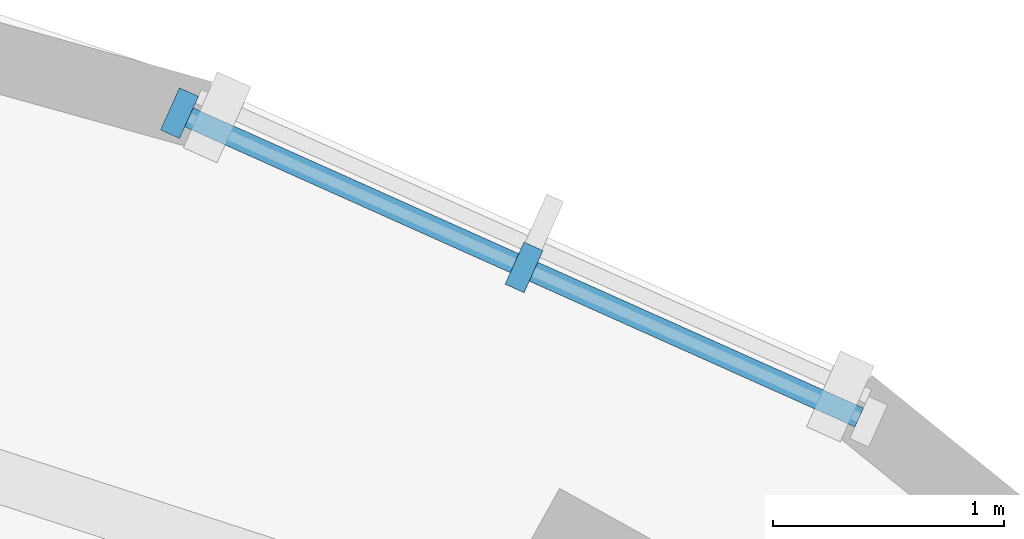
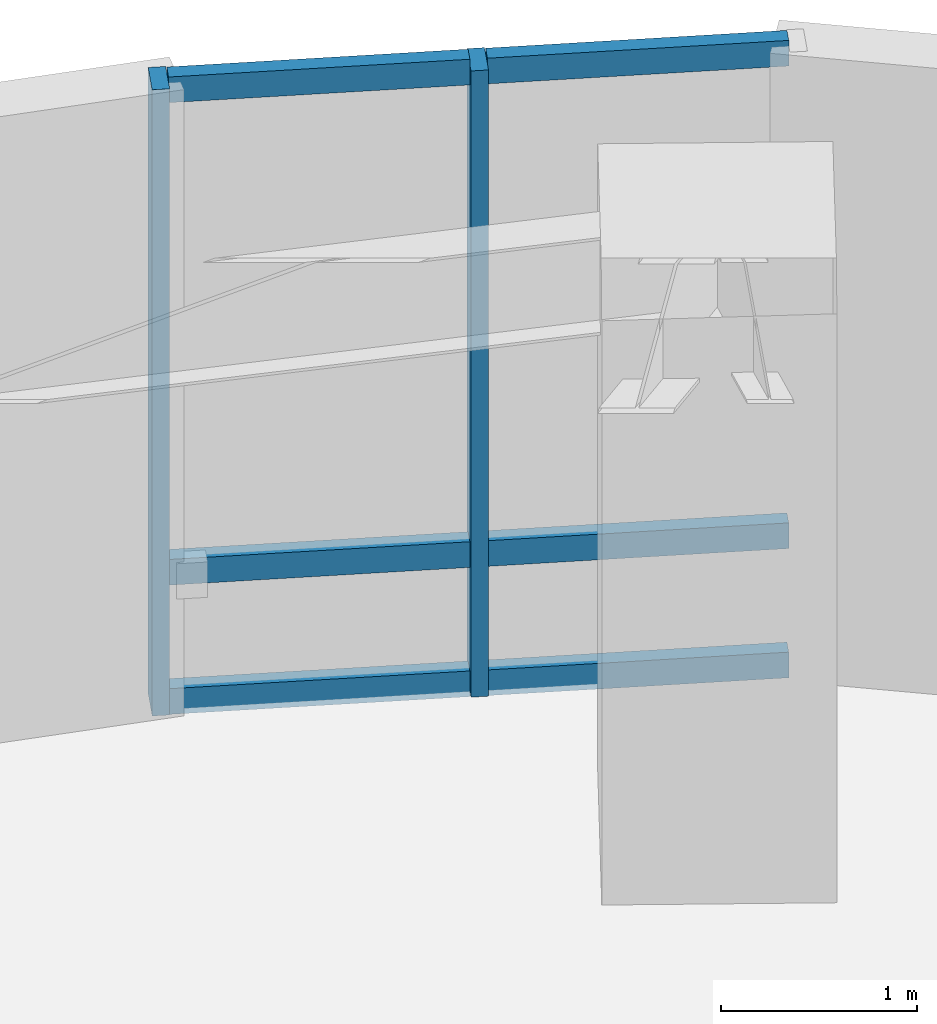
# One storey, part 6 of 15: 8 members, 1 element without a shape of its own.
"""IFC4 building model written with IfcOpenShell, lengths in metres."""

import ifcopenshell
import ifcopenshell.guid

model = None  # the IFC model being written
_history = None  # IfcOwnerHistory: only IFC2X3 demands one
_inside = {}  # id of a spatial element -> (the spatial element, [elements in it])
_under = {}  # id of a project, library or spatial element -> (it, [spatial elements below it])
_declared = {}  # id of a project -> (the project, [libraries it declares])
_typed = {}  # id of a type object -> (the type object, [elements of that type])
_made_of = {}  # id of a material, layer set ... -> (it, [elements and type objects made of it])


def new_model(schema):
    """Start an empty IFC model of exactly this schema.

    Asked for "IFC4X3", IfcOpenShell would pick the latest addendum, in which some entities
    have other attributes; the version numbers below select the first issue.
    IFC2X3 requires an IfcOwnerHistory on every rooted entity: one is made here for all.
    """
    global model, _history
    if schema == "IFC4X3":
        model = ifcopenshell.file(schema_version=(4, 3, 0, 0))
    else:
        model = ifcopenshell.file(schema=schema)
    _inside.clear()
    _under.clear()
    _declared.clear()
    _typed.clear()
    _made_of.clear()
    _history = None
    if model.schema == "IFC2X3":
        org = make("IfcOrganization", Name="unknown")
        user = make(
            "IfcPersonAndOrganization",
            ThePerson=make("IfcPerson", FamilyName="unknown"),
            TheOrganization=org,
        )
        app = make(
            "IfcApplication",
            ApplicationDeveloper=org,
            Version="unknown",
            ApplicationFullName="unknown",
            ApplicationIdentifier="unknown",
        )
        _history = make(
            "IfcOwnerHistory",
            OwningUser=user,
            OwningApplication=app,
            ChangeAction="ADDED",
            CreationDate=0,
        )
    return model


def make(cls, **values):
    """One entity of the class cls with the attributes given. An attribute that is None is left unset."""
    return model.create_entity(
        cls, **{name: value for name, value in values.items() if value is not None}
    )


def rooted(cls, **values):
    """An entity with a GlobalId (a new one), such as an element, a storey or a relation."""
    return make(cls, GlobalId=ifcopenshell.guid.new(), OwnerHistory=_history, **values)


def si_unit(unit_type, name, prefix=None):
    """IfcSIUnit, for example si_unit("LENGTHUNIT", "METRE", prefix="MILLI")."""
    return make("IfcSIUnit", UnitType=unit_type, Prefix=prefix, Name=name)


def assignment(units):
    """IfcUnitAssignment: the units of a project."""
    return None if units is None else make("IfcUnitAssignment", Units=units)


def point(xyz):
    """IfcCartesianPoint."""
    return None if xyz is None else make("IfcCartesianPoint", Coordinates=xyz)


def direction(xyz):
    """IfcDirection."""
    return None if xyz is None else make("IfcDirection", DirectionRatios=xyz)


def frame(location, z_axis=None, x_axis=None):
    """IfcAxis2Placement3D, a coordinate frame: its origin and axes. An axis left out is left unset."""
    return make(
        "IfcAxis2Placement3D",
        Location=point(location),
        Axis=direction(z_axis),
        RefDirection=direction(x_axis),
    )


def frame_2d(location, x_axis=None):
    """IfcAxis2Placement2D, a coordinate frame in the plane: its origin and x axis."""
    return make(
        "IfcAxis2Placement2D", Location=point(location), RefDirection=direction(x_axis)
    )


def origin():
    """The frame at (0, 0, 0) with its axes left unset."""
    return frame((0.0, 0.0, 0.0))


def origin_2d():
    """The frame at (0, 0) in the plane with its x axis left unset."""
    return frame_2d((0.0, 0.0))


def place(relative_to, where):
    """IfcLocalPlacement: puts the frame where relative to a parent placement (None: the world)."""
    return make(
        "IfcLocalPlacement", PlacementRelTo=relative_to, RelativePlacement=where
    )


def context(
    kind, dimensions, precision=None, world=None, true_north=None, identifier=None
):
    """IfcGeometricRepresentationContext, for example the 3D "Model" context."""
    return make(
        "IfcGeometricRepresentationContext",
        ContextIdentifier=identifier,
        ContextType=kind,
        CoordinateSpaceDimension=dimensions,
        Precision=precision,
        WorldCoordinateSystem=world,
        TrueNorth=true_north,
    )


def subcontext(parent, identifier, kind, view, scale=None):
    """IfcGeometricRepresentationSubContext, for example "Body" below "Model"."""
    return make(
        "IfcGeometricRepresentationSubContext",
        ContextIdentifier=identifier,
        ContextType=kind,
        ParentContext=parent,
        TargetScale=scale,
        TargetView=view,
    )


def project(units=None, contexts=None):
    """IfcProject with its units and contexts."""
    return rooted(
        "IfcProject",
        Name="project",
        RepresentationContexts=contexts,
        UnitsInContext=assignment(units),
    )


def spatial(cls, under=None, at=None, **own):
    """A site, building, storey or space (cls), placed at a placement, below another one or the project."""
    s = rooted(cls, ObjectPlacement=at, **own)
    if under is not None:
        _under.setdefault(under.id(), (under, []))[1].append(s)
    return s


def profile(cls, at=None, kind="AREA", **sizes):
    """A parametric profile (cls). Its sizes go by their IFC names, for example OverallWidth=200.0."""
    return make(cls, ProfileType=kind, Position=at, **sizes)


def rectangle(**sizes):
    """IfcRectangleProfileDef."""
    return profile("IfcRectangleProfileDef", **sizes)


def extrude(swept, where, along, depth):
    """IfcExtrudedAreaSolid: the profile swept, set in the frame where, extruded along a direction by depth."""
    return make(
        "IfcExtrudedAreaSolid",
        SweptArea=swept,
        Position=where,
        ExtrudedDirection=direction(along),
        Depth=depth,
    )


def shape(context_of_items, identifier, shape_type, items):
    """IfcShapeRepresentation: the items that make up one representation, for example the "Body"."""
    return make(
        "IfcShapeRepresentation",
        ContextOfItems=context_of_items,
        RepresentationIdentifier=identifier,
        RepresentationType=shape_type,
        Items=items,
    )


def material(Name=None, Category=None):
    """IfcMaterial."""
    return make("IfcMaterial", Name=Name, Category=Category)


def layer(
    of_material, thickness, ventilated=None, Name=None, Category=None, Priority=None
):
    """IfcMaterialLayer: one layer of a wall or slab, of a material (None: an air gap)."""
    return make(
        "IfcMaterialLayer",
        Material=of_material,
        LayerThickness=thickness,
        IsVentilated=ventilated,
        Name=Name,
        Category=Category,
        Priority=Priority,
    )


def layer_set(layers, Name=None):
    """IfcMaterialLayerSet."""
    return make("IfcMaterialLayerSet", MaterialLayers=layers, LayerSetName=Name)


def material_profile(
    of_material, cross_section, Name=None, Category=None, Priority=None
):
    """IfcMaterialProfile: a cross section and its material."""
    return make(
        "IfcMaterialProfile",
        Name=Name,
        Material=of_material,
        Profile=cross_section,
        Priority=Priority,
        Category=Category,
    )


def profile_set(profiles, Name=None, composite=None):
    """IfcMaterialProfileSet."""
    return make(
        "IfcMaterialProfileSet",
        Name=Name,
        MaterialProfiles=profiles,
        CompositeProfile=composite,
    )


def made_of(thing, what):
    """Note that an element or type object is made of a material, layer set ...; save() writes the relation."""
    if what is not None:
        _made_of.setdefault(what.id(), (what, []))[1].append(thing)
    return thing


def type_object(cls, material=None, **own):
    """A type object (cls), such as IfcWallType, which elements share."""
    return made_of(rooted(cls, **own), material)


def element(
    cls,
    number,
    at=None,
    inside=None,
    cuts=None,
    type_object=None,
    material=None,
    context=None,
    identifier="Body",
    shape_type=None,
    held_by="IfcProductDefinitionShape",
    body=None,
    shapes=None,
    **own,
):
    """One element of the class cls, such as IfcWall. Its Tag is "e" and its number.

    at: its placement. inside: the storey or other place that contains it. cuts: it is an
    opening in that element (IfcRelVoidsElement). A single representation is given by context,
    identifier, shape_type and body (its items); several are given by shapes. held_by: the class
    of the entity that holds the representations. save() writes the other relations.
    """
    e = rooted(cls, Tag="e%d" % number, ObjectPlacement=at, **own)
    if body is not None:
        shapes = [shape(context, identifier, shape_type, body)]
    if shapes is not None:
        e.Representation = make(held_by, Representations=shapes)
    if inside is not None:
        _inside.setdefault(inside.id(), (inside, []))[1].append(e)
    if cuts is not None:
        rooted(
            "IfcRelVoidsElement", RelatingBuildingElement=cuts, RelatedOpeningElement=e
        )
    if type_object is not None:
        _typed.setdefault(type_object.id(), (type_object, []))[1].append(e)
    return made_of(e, material)


def aggregate(whole, parts):
    """IfcRelAggregates: a whole, such as a stair, and the parts it consists of."""
    return rooted("IfcRelAggregates", RelatingObject=whole, RelatedObjects=parts)


def save(model, path):
    """Write the relations noted so far, then the file.

    IfcRelAggregates (storeys below a building ...), IfcRelContainedInSpatialStructure (elements
    in a storey), IfcRelDefinesByType, IfcRelAssociatesMaterial and IfcRelDeclares: one each for
    every whole, place, type object, material and project.
    """
    for whole, parts in _under.values():
        aggregate(whole, parts)
    for where, things in _inside.values():
        rooted(
            "IfcRelContainedInSpatialStructure",
            RelatedElements=things,
            RelatingStructure=where,
        )
    for kind, things in _typed.values():
        rooted("IfcRelDefinesByType", RelatedObjects=things, RelatingType=kind)
    for what, things in _made_of.values():
        rooted("IfcRelAssociatesMaterial", RelatedObjects=things, RelatingMaterial=what)
    for by, libraries in _declared.values():
        rooted("IfcRelDeclares", RelatingContext=by, RelatedDefinitions=libraries)
    model.write(path)


model = new_model("IFC4")

# Units and contexts
model_context = context("Model", 3, precision=1e-05, world=origin(), true_north=direction((0.0, 1.0)))
body_context = subcontext(model_context, "Body", "Model", "MODEL_VIEW")
ifc_project = project(units=[si_unit("LENGTHUNIT", "METRE"), si_unit("AREAUNIT", "SQUARE_METRE"), si_unit("VOLUMEUNIT", "CUBIC_METRE"), si_unit("PLANEANGLEUNIT", "RADIAN"), si_unit("MASSUNIT", "GRAM", prefix="KILO")], contexts=[model_context])

# Site, building, storey
site_placement = place(None, origin())
site = spatial("IfcSite", under=ifc_project, at=site_placement, CompositionType="ELEMENT")
building_placement = place(site_placement, origin())
building = spatial("IfcBuilding", under=site, at=building_placement, Name="Korentha Bioscience Tower", CompositionType="ELEMENT")
storey_placement = place(building_placement, frame((0.0, 0.0, 94.199951171875)))
storey = spatial("IfcBuildingStorey", under=building, at=storey_placement, Name="L21", CompositionType="ELEMENT", Elevation=94.199951171875)

# Curtain wall, members
ifc_material_1 = material(Name="Thermally Broken Aluminium Frame", Category="aluminium")
ifc_layer = layer(ifc_material_1, 0.219970703125, Name="Thermally Broken Aluminium Frame")
ifc_layer_set = layer_set([ifc_layer], Name="Thermally Broken Aluminium Frame (CW-T2)")
curtain_wall_type = type_object("IfcCurtainWallType", Name="Solar-Screened Lab Unitised Curtain Wall CW-T2", PredefinedType="USERDEFINED", material=ifc_layer_set)
curtain_wall_placement = place(storey_placement, origin())
curtain_wall = element("IfcCurtainWall", 1, at=curtain_wall_placement, inside=storey, type_object=curtain_wall_type, Name="L21 Curtain Wall 01", ObjectType="UNITISED", PredefinedType="USERDEFINED")
ifc_material_2 = material(Name="Anodised Aluminium 6063-T6", Category="aluminium")
ifc_material_profile_1 = material_profile(ifc_material_2, rectangle(XDim=0.090087890625, YDim=0.199951171875, at=origin_2d()), Name="Anodised Aluminium 6063-T6")
ifc_profile_set_1 = profile_set([ifc_material_profile_1], Name="Anodised Aluminium 6063-T6 (CW-MUL)")
member_type_1 = type_object("IfcMemberType", Name="Mullion RECT 90x200", PredefinedType="MULLION", material=ifc_profile_set_1)
member_1_placement = place(storey_placement, frame((48.871337890625, 45.72021484375, 0.0), z_axis=(0.0, 0.0, 1.0), x_axis=(-0.912686563127, 0.408660295952, 0.0)))
member_1 = element("IfcMember", 2, at=member_1_placement, type_object=member_type_1, Name="CW-L21-01 Mullion 2", PredefinedType="MULLION", context=body_context, shape_type="SweptSolid", body=[
    extrude(rectangle(XDim=0.090087890625, YDim=0.199951171875, at=origin_2d()), origin(), (0.0, 0.0, 1.0), 3.900146484375),
])
member_2_placement = place(storey_placement, frame((47.37890625, 46.388427734375, 0.0), z_axis=(0.0, 0.0, 1.0), x_axis=(-0.912686563127, 0.408660295952, 0.0)))
member_2 = element("IfcMember", 3, at=member_2_placement, type_object=member_type_1, Name="CW-L21-01 Mullion 3", PredefinedType="MULLION", context=body_context, shape_type="SweptSolid", body=[
    extrude(rectangle(XDim=0.090087890625, YDim=0.199951171875, at=origin_2d()), origin(), (0.0, 0.0, 1.0), 3.900146484375),
])
ifc_material_profile_2 = material_profile(ifc_material_2, rectangle(XDim=0.090087890625, YDim=0.159912109375, at=origin_2d()), Name="Anodised Aluminium 6063-T6")
ifc_profile_set_2 = profile_set([ifc_material_profile_2], Name="Anodised Aluminium 6063-T6 (CW-TRN)")
member_type_2 = type_object("IfcMemberType", Name="Transom RECT 90x160", PredefinedType="USERDEFINED", material=ifc_profile_set_2)
member_3_placement = place(storey_placement, frame((50.322998046875, 45.0703125, 0.045166015625), z_axis=(-0.912753156119, 0.408511537162, 0.0), x_axis=(-0.408511537162, -0.912753156119, 0.0)))
member_3 = element("IfcMember", 4, at=member_3_placement, type_object=member_type_2, Name="CW-L21-01 Bay 1 Transom 1", ObjectType="TRANSOM", PredefinedType="USERDEFINED", context=body_context, shape_type="SweptSolid", body=[
    extrude(rectangle(XDim=0.090087890625, YDim=0.159912109375, at=origin_2d()), origin(), (0.0, 0.0, 1.0), 1.54541015625),
])
member_4_placement = place(storey_placement, frame((50.322998046875, 45.0703125, 0.85009765625), z_axis=(-0.912753156119, 0.408511537162, 0.0), x_axis=(-0.408511537162, -0.912753156119, 0.0)))
member_4 = element("IfcMember", 5, at=member_4_placement, type_object=member_type_2, Name="CW-L21-01 Bay 1 Transom 2", ObjectType="TRANSOM", PredefinedType="USERDEFINED", context=body_context, shape_type="SweptSolid", body=[
    extrude(rectangle(XDim=0.090087890625, YDim=0.159912109375, at=origin_2d()), origin(), (0.0, 0.0, 1.0), 1.54541015625),
])
member_5_placement = place(storey_placement, frame((50.322998046875, 45.0703125, 3.85498046875), z_axis=(-0.912753156119, 0.408511537162, 0.0), x_axis=(-0.408511537162, -0.912753156119, 0.0)))
member_5 = element("IfcMember", 6, at=member_5_placement, type_object=member_type_2, Name="CW-L21-01 Bay 1 Transom 3", ObjectType="TRANSOM", PredefinedType="USERDEFINED", context=body_context, shape_type="SweptSolid", body=[
    extrude(rectangle(XDim=0.090087890625, YDim=0.159912109375, at=origin_2d()), origin(), (0.0, 0.0, 1.0), 1.54541015625),
])
member_6_placement = place(storey_placement, frame((48.830322265625, 45.738525390625, 0.045166015625), z_axis=(-0.912667864607, 0.408702053962, 0.0), x_axis=(-0.408702053962, -0.912667864607, 0.0)))
member_6 = element("IfcMember", 7, at=member_6_placement, type_object=member_type_2, Name="CW-L21-01 Bay 2 Transom 1", ObjectType="TRANSOM", PredefinedType="USERDEFINED", context=body_context, shape_type="SweptSolid", body=[
    extrude(rectangle(XDim=0.090087890625, YDim=0.159912109375, at=origin_2d()), origin(), (0.0, 0.0, 1.0), 1.54541015625),
])
member_7_placement = place(storey_placement, frame((48.830322265625, 45.738525390625, 0.85009765625), z_axis=(-0.912667864607, 0.408702053962, 0.0), x_axis=(-0.408702053962, -0.912667864607, 0.0)))
member_7 = element("IfcMember", 8, at=member_7_placement, type_object=member_type_2, Name="CW-L21-01 Bay 2 Transom 2", ObjectType="TRANSOM", PredefinedType="USERDEFINED", context=body_context, shape_type="SweptSolid", body=[
    extrude(rectangle(XDim=0.090087890625, YDim=0.159912109375, at=origin_2d()), origin(), (0.0, 0.0, 1.0), 1.54541015625),
])
member_8_placement = place(storey_placement, frame((48.830322265625, 45.738525390625, 3.85498046875), z_axis=(-0.912667864607, 0.408702053962, 0.0), x_axis=(-0.408702053962, -0.912667864607, 0.0)))
member_8 = element("IfcMember", 9, at=member_8_placement, type_object=member_type_2, Name="CW-L21-01 Bay 2 Transom 3", ObjectType="TRANSOM", PredefinedType="USERDEFINED", context=body_context, shape_type="SweptSolid", body=[
    extrude(rectangle(XDim=0.090087890625, YDim=0.159912109375, at=origin_2d()), origin(), (0.0, 0.0, 1.0), 1.54541015625),
])
aggregate(curtain_wall, [member_1, member_2, member_3, member_4, member_5, member_6, member_7, member_8])

save(model, "model.ifc")
